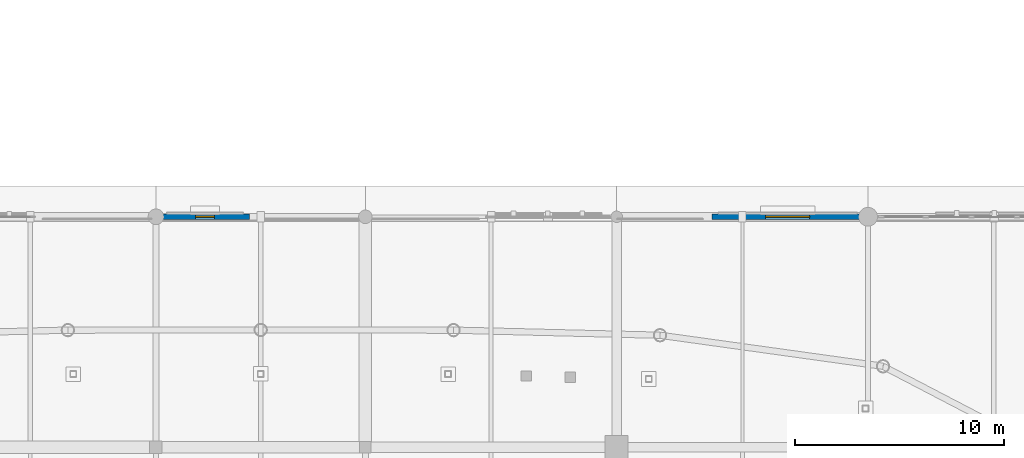
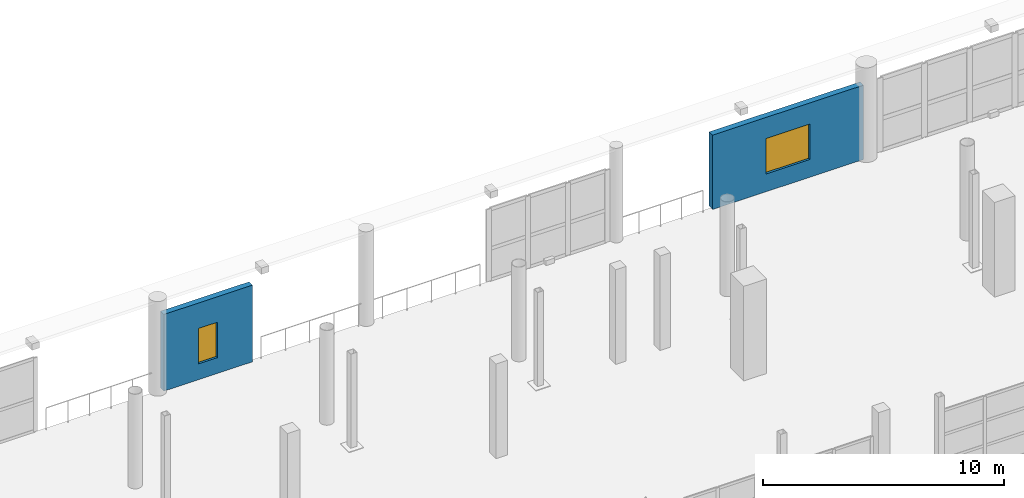
# One storey, part 96 of 143: 2 walls, 2 windows, 2 openings.
"""IFC4 building model written with IfcOpenShell, lengths in metres."""

from ifc_helpers import new_model, si_unit, direction, frame, frame_2d, origin, place, context, subcontext, project, spatial, rectangle, extrude, material, layer, layer_set, type_object, element, fill, save


model = new_model("IFC4")

# Units and contexts
model_context = context("Model", 3, precision=1e-05, world=origin(), true_north=direction((0.0, 1.0)))
body_context = subcontext(model_context, "Body", "Model", "MODEL_VIEW")
ifc_project = project(units=[si_unit("LENGTHUNIT", "METRE"), si_unit("AREAUNIT", "SQUARE_METRE"), si_unit("VOLUMEUNIT", "CUBIC_METRE"), si_unit("PLANEANGLEUNIT", "RADIAN"), si_unit("MASSUNIT", "GRAM", prefix="KILO")], contexts=[model_context])

# Site, building, storey
site_placement = place(None, origin())
site = spatial("IfcSite", under=ifc_project, at=site_placement, CompositionType="ELEMENT")
building_placement = place(site_placement, origin())
building = spatial("IfcBuilding", under=site, at=building_placement, Name="Luwafu Chhajja Arena", CompositionType="ELEMENT")
storey_placement = place(building_placement, frame((0.0, 0.0, 5.39990234375)))
storey = spatial("IfcBuildingStorey", under=building, at=storey_placement, Name="L01", CompositionType="ELEMENT", Elevation=5.39990234375)

# Wall, opening, window
ifc_material_1 = material(Name="Concrete C35/45", Category="concrete")
ifc_layer = layer(ifc_material_1, 0.280029296875, Name="Concrete C35/45")
ifc_layer_set = layer_set([ifc_layer], Name="Concrete C35/45")
wall_type = type_object("IfcWallType", Name="Colonnade Arcade Spandrel Wall 280", PredefinedType="SOLIDWALL", material=ifc_layer_set)
wall_1_placement = place(storey_placement, frame((94.219970703125, 99.0, 0.0), z_axis=(0.0, 0.0, 1.0), x_axis=(1.0, 0.0, 0.0)))
wall_1 = element("IfcWall", 1, at=wall_1_placement, inside=storey, type_object=wall_type, Name="L01 Exterior Wall WEX-L01-128", PredefinedType="SOLIDWALL", context=body_context, shape_type="SweptSolid", body=[
    extrude(rectangle(XDim=4.238037109375, YDim=0.280029296875, at=frame_2d((2.119140625, 0.0))), origin(), (0.0, 0.0, 1.0), 3.89013671875),
])
opening_1_placement = place(wall_1_placement, frame((1.669189453125, 0.0, 0.800048828125)))
opening_1 = element("IfcOpeningElement", 2, at=opening_1_placement, cuts=wall_1, Name="Opening WN-16", PredefinedType="OPENING", context=body_context, shape_type="SweptSolid", body=[
    extrude(rectangle(XDim=0.89990234375, YDim=1.800048828125, at=frame_2d((0.449951171875, 0.89990234375))), frame((0.0, 0.14990234375, 0.0), z_axis=(0.0, -1.0, 0.0), x_axis=(1.0, 0.0, 0.0)), (0.0, 0.0, 1.0), 0.300048828125),
])
ifc_material_2 = material(Name="Solar-control laminated glass", Category="glass")
window_type_1 = type_object("IfcWindowType", Name="Stair Core Daylight Slot Window 900x1800", PartitioningType="SINGLE_PANEL", PredefinedType="WINDOW", material=ifc_material_2)
window_1_placement = place(opening_1_placement, origin())
window_1 = element("IfcWindow", 3, at=window_1_placement, inside=storey, type_object=window_type_1, Name="L01 Facade Window 046", OverallHeight=1.800048828125, OverallWidth=0.89990234375, PartitioningType="SINGLE_PANEL", PredefinedType="WINDOW", context=body_context, shape_type="SweptSolid", body=[
    extrude(rectangle(XDim=0.89990234375, YDim=1.800048828125, at=frame_2d((0.449951171875, 0.89990234375))), frame((0.0, 0.030029296875, 0.0), z_axis=(0.0, -1.0, 0.0), x_axis=(1.0, 0.0, 0.0)), (0.0, 0.0, 1.0), 0.06005859375),
])
fill(opening_1, window_1)

wall_2_placement = place(storey_placement, frame((120.54248046875, 99.0, 0.0), z_axis=(0.0, 0.0, 1.0), x_axis=(1.0, 0.0, 0.0)))
wall_2 = element("IfcWall", 4, at=wall_2_placement, inside=storey, type_object=wall_type, Name="L01 Exterior Wall WEX-L01-129", PredefinedType="SOLIDWALL", context=body_context, shape_type="SweptSolid", body=[
    extrude(rectangle(XDim=7.237548828125, YDim=0.280029296875, at=frame_2d((3.61865234375, 0.0))), origin(), (0.0, 0.0, 1.0), 3.77001953125),
])
opening_2_placement = place(wall_2_placement, frame((2.568603515625, 0.0, 0.89990234375)))
opening_2 = element("IfcOpeningElement", 5, at=opening_2_placement, cuts=wall_2, Name="Opening WN-05", PredefinedType="OPENING", context=body_context, shape_type="SweptSolid", body=[
    extrude(rectangle(XDim=2.10009765625, YDim=1.800048828125, at=frame_2d((1.050048828125, 0.89990234375))), frame((0.0, 0.14990234375, 0.0), z_axis=(0.0, -1.0, 0.0), x_axis=(1.0, 0.0, 0.0)), (0.0, 0.0, 1.0), 0.300048828125),
])
window_type_2 = type_object("IfcWindowType", Name="Concourse Jali-Shaded Window 2100x1800", PartitioningType="SINGLE_PANEL", PredefinedType="WINDOW", material=ifc_material_2)
window_2_placement = place(opening_2_placement, origin())
window_2 = element("IfcWindow", 6, at=window_2_placement, inside=storey, type_object=window_type_2, Name="L01 Facade Window 047", OverallHeight=1.800048828125, OverallWidth=2.10009765625, PartitioningType="SINGLE_PANEL", PredefinedType="WINDOW", context=body_context, shape_type="SweptSolid", body=[
    extrude(rectangle(XDim=2.10009765625, YDim=1.800048828125, at=frame_2d((1.050048828125, 0.89990234375))), frame((0.0, 0.030029296875, 0.0), z_axis=(0.0, -1.0, 0.0), x_axis=(1.0, 0.0, 0.0)), (0.0, 0.0, 1.0), 0.06005859375),
])
fill(opening_2, window_2)

save(model, "model.ifc")
